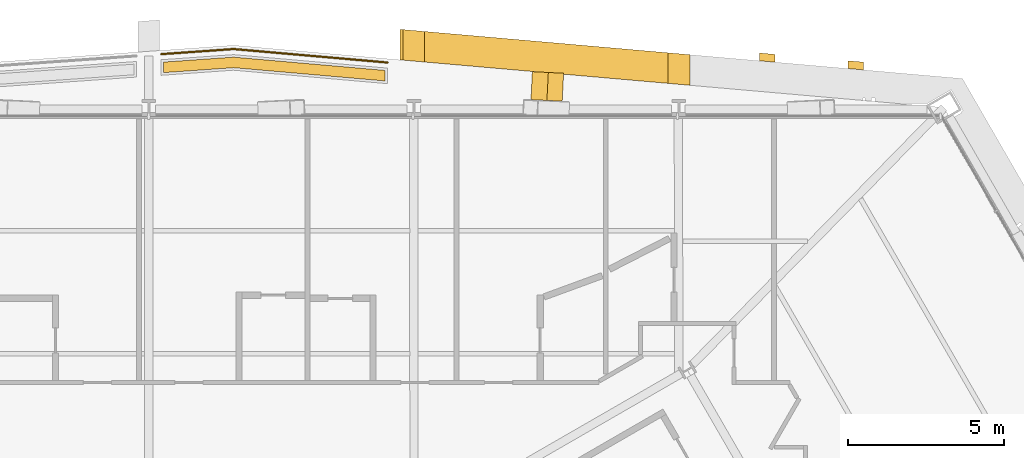
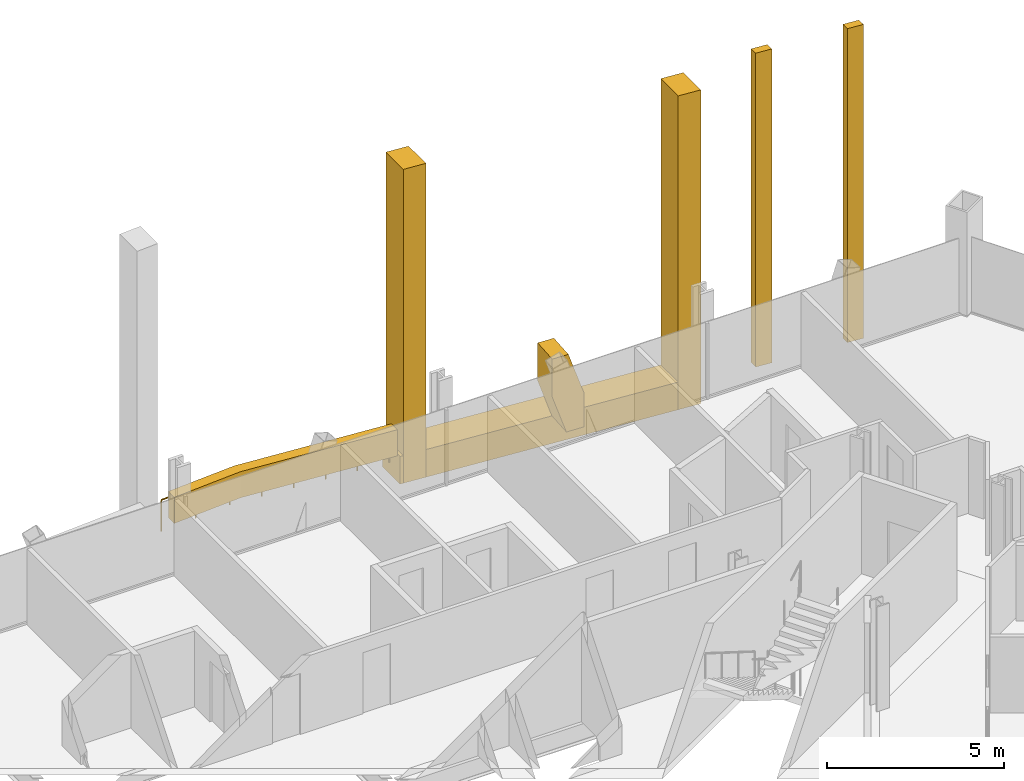
# One storey, part 18 of 18: 8 coverings, 1 railing.
"""IFC4 building model written with IfcOpenShell, lengths in metres."""

from ifc_helpers import new_model, si_unit, direction, frame, origin, origin_2d, place, context, subcontext, project, spatial, polyline, circle, outline, extrude, material, layer, layer_set, type_object, element, save


model = new_model("IFC4")

# Units and contexts
model_context = context("Model", 3, precision=1e-05, world=origin(), true_north=direction((0.0, 1.0)))
body_context = subcontext(model_context, "Body", "Model", "MODEL_VIEW")
ifc_project = project(units=[si_unit("LENGTHUNIT", "METRE"), si_unit("AREAUNIT", "SQUARE_METRE"), si_unit("VOLUMEUNIT", "CUBIC_METRE"), si_unit("PLANEANGLEUNIT", "RADIAN"), si_unit("MASSUNIT", "GRAM", prefix="KILO")], contexts=[model_context])

# Site, building, storey
site_placement = place(None, origin())
site = spatial("IfcSite", under=ifc_project, at=site_placement, CompositionType="ELEMENT")
building_placement = place(site_placement, origin())
building = spatial("IfcBuilding", under=site, at=building_placement, Name="Verrane Prism Tower", CompositionType="ELEMENT")
storey_placement = place(building_placement, frame((0.0, 0.0, 47.60009765625)))
storey = spatial("IfcBuildingStorey", under=building, at=storey_placement, Name="L09", CompositionType="ELEMENT", Elevation=47.60009765625)

# Coverings
ifc_material_1 = material(Name="Planted shrubs and grasses", Category="other")
covering_type_1 = type_object("IfcCoveringType", Name="Planting mass 1000", PredefinedType="USERDEFINED", material=ifc_material_1)
covering_1_placement = place(storey_placement, frame((0.0, 0.0, 0.599853515625)))
element("IfcCovering", 1, at=covering_1_placement, inside=storey, type_object=covering_type_1, Name="Loggia planting N3 L09", ObjectType="PLANTING", PredefinedType="USERDEFINED", context=body_context, shape_type="SweptSolid", body=[
    extrude(outline(polyline([(2.72265625, 22.689697265625), (0.47998046875, 22.531005859375), (0.47998046875, 22.19140625), (2.72412109375, 22.35009765625), (7.586181640625, 21.92431640625), (7.586181640625, 22.263671875), (2.72265625, 22.689697265625)])), origin(), (0.0, 0.0, 1.0), 0.900146484375),
])
ifc_material_2 = material(Name="Warm limestone cladding", Category="masonry")
ifc_layer_1 = layer(ifc_material_2, 0.89990234375)
ifc_layer_set_1 = layer_set([ifc_layer_1], Name="Stone brace fin 900")
covering_type_2 = type_object("IfcCoveringType", Name="Stone brace fin 900", PredefinedType="CLADDING", material=ifc_layer_set_1)
covering_2_placement = place(storey_placement, frame((13.3046875, 21.722412109375, 0.0), z_axis=(0.0, 0.0, 1.0), x_axis=(-0.998721235036, 0.050555857115, 0.0)))
element("IfcCovering", 2, at=covering_2_placement, inside=storey, type_object=covering_type_2, Name="Stone brace fin N2 L09", PredefinedType="CLADDING", context=body_context, shape_type="SweptSolid", body=[
    extrude(outline(polyline([(1.004638671875, 2.64990234375), (0.49169921875, 2.64990234375), (0.0, 1.177978515625), (0.0, 0.0), (0.555419921875, 0.0), (1.004638671875, 1.3447265625), (1.004638671875, 2.64990234375)])), frame((0.0, 0.449951171875, 0.0), z_axis=(0.0, -1.0, 0.0), x_axis=(1.0, 0.0, 0.0)), (0.0, 0.0, 1.0), 0.89990234375),
])
ifc_material_3 = material(Name="Warm limestone cladding", Category="masonry")
covering_type_3 = type_object("IfcCoveringType", Name="Stone mullion pier 500", PredefinedType="CLADDING", material=ifc_material_3)
covering_3_placement = place(storey_placement, frame((0.0, 0.0, -0.9501953125)))
element("IfcCovering", 3, at=covering_3_placement, inside=storey, type_object=covering_type_3, Name="Stone pier SM-N0.1 L09-L11", PredefinedType="CLADDING", context=body_context, shape_type="SweptSolid", body=[
    extrude(outline(polyline([(22.459716796875, 22.322509765625), (22.959716796875, 22.27880859375), (22.959716796875, 22.52978515625), (22.459716796875, 22.573486328125), (22.459716796875, 22.322509765625)])), origin(), (0.0, 0.0, 1.0), 10.800048828125),
])
covering_4_placement = place(storey_placement, frame((0.0, 0.0, -0.9501953125)))
element("IfcCovering", 4, at=covering_4_placement, inside=storey, type_object=covering_type_3, Name="Stone pier SM-N0.2 L09-L11", PredefinedType="CLADDING", context=body_context, shape_type="SweptSolid", body=[
    extrude(outline(polyline([(19.620849609375, 22.5712890625), (20.120849609375, 22.527587890625), (20.120849609375, 22.7783203125), (19.620849609375, 22.822265625), (19.620849609375, 22.5712890625)])), origin(), (0.0, 0.0, 1.0), 10.800048828125),
])
ifc_material_4 = material(Name="Warm limestone cladding", Category="masonry")
covering_type_4 = type_object("IfcCoveringType", Name="Stone pier 700", PredefinedType="CLADDING", material=ifc_material_4)
covering_5_placement = place(storey_placement, frame((0.0, 0.0, -0.9501953125)))
element("IfcCovering", 5, at=covering_5_placement, inside=storey, type_object=covering_type_4, Name="Stone pier PC-N1 L09-L11", PredefinedType="CLADDING", context=body_context, shape_type="SweptSolid", body=[
    extrude(outline(polyline([(16.68212890625, 22.828857421875), (16.68212890625, 21.846923828125), (17.382080078125, 21.78564453125), (17.382080078125, 22.767333984375), (16.68212890625, 22.828857421875)])), origin(), (0.0, 0.0, 1.0), 10.800048828125),
])
covering_6_placement = place(storey_placement, frame((0.0, 0.0, -0.9501953125)))
element("IfcCovering", 6, at=covering_6_placement, inside=storey, type_object=covering_type_4, Name="Stone pier PC-N2 L09-L11", PredefinedType="CLADDING", context=body_context, shape_type="SweptSolid", body=[
    extrude(outline(polyline([(8.166015625, 23.5751953125), (8.166015625, 22.59326171875), (8.8662109375, 22.531982421875), (8.8662109375, 23.513671875), (8.166015625, 23.5751953125)])), origin(), (0.0, 0.0, 1.0), 10.800048828125),
])
ifc_material_5 = material(Name="Warm limestone cladding", Category="masonry")
ifc_layer_2 = layer(ifc_material_5, 0.449951171875)
ifc_layer_set_2 = layer_set([ifc_layer_2], Name="Stone spandrel band 450")
covering_type_5 = type_object("IfcCoveringType", Name="Stone spandrel band 450", PredefinedType="CLADDING", material=ifc_layer_set_2)
covering_7_placement = place(storey_placement, frame((0.0, 0.0, -0.9501953125)))
element("IfcCovering", 7, at=covering_7_placement, inside=storey, type_object=covering_type_5, Name="Stone spandrel band L09 part 8", PredefinedType="CLADDING", context=body_context, shape_type="SweptSolid", body=[
    extrude(outline(polyline([(16.68212890625, 22.828857421875), (8.8662109375, 23.513671875), (8.8662109375, 22.531982421875), (16.68212890625, 21.846923828125), (16.68212890625, 22.828857421875)])), origin(), (0.0, 0.0, 1.0), 0.9501953125),
])
covering_8_placement = place(storey_placement, frame((0.0, 0.0, -0.9501953125)))
element("IfcCovering", 8, at=covering_8_placement, inside=storey, type_object=covering_type_5, Name="Stone spandrel band L09 part 14", PredefinedType="CLADDING", context=body_context, shape_type="SweptSolid", body=[
    extrude(outline(polyline([(8.066162109375, 23.583740234375), (8.066162109375, 22.60205078125), (8.166015625, 22.59326171875), (8.166015625, 23.5751953125), (8.066162109375, 23.583740234375)])), origin(), (0.0, 0.0, 1.0), 0.9501953125),
])

# Railing
ifc_material_6 = material(Name="Stainless steel and laminated glass", Category="steel")
railing_type = type_object("IfcRailingType", Name="Terrace guard 1100", PredefinedType="GUARDRAIL", material=ifc_material_6)
railing_placement = place(storey_placement, frame((7.666015625, 22.516845703125, 0.0)))
element("IfcRailing", 9, at=railing_placement, inside=storey, type_object=railing_type, Name="Loggia guard N3 L09", PredefinedType="GUARDRAIL", context=body_context, shape_type="SweptSolid", body=[
    extrude(circle(Radius=0.02392578125, at=origin_2d()), frame((0.0, 0.0, 1.076171875), z_axis=(-0.996182760478, 0.08729208284, 0.0), x_axis=(-0.08729208284, -0.996182760478, 0.0)), (0.0, 0.0, 1.0), 4.961669921875),
    extrude(circle(Radius=0.02392578125, at=origin_2d()), frame((-4.942626953125, 0.43310546875, 1.076171875), z_axis=(-0.997508993354, -0.070539408693, 0.0), x_axis=(0.070539408693, -0.997508993354, 0.0)), (0.0, 0.0, 1.0), 2.329345703125),
    extrude(circle(Radius=0.02099609375, at=origin_2d()), origin(), (0.0, 0.0, 1.0), 1.052001953125),
    extrude(circle(Radius=0.02099609375, at=origin_2d()), frame((-0.988525390625, 0.086669921875, 0.0)), (0.0, 0.0, 1.0), 1.052001953125),
    extrude(circle(Radius=0.02099609375, at=origin_2d()), frame((-1.97705078125, 0.17333984375, 0.0)), (0.0, 0.0, 1.0), 1.052001953125),
    extrude(circle(Radius=0.02099609375, at=origin_2d()), frame((-2.965576171875, 0.259765625, 0.0)), (0.0, 0.0, 1.0), 1.052001953125),
    extrude(circle(Radius=0.02099609375, at=origin_2d()), frame((-3.9541015625, 0.346435546875, 0.0)), (0.0, 0.0, 1.0), 1.052001953125),
    extrude(circle(Radius=0.02099609375, at=origin_2d()), frame((-4.942626953125, 0.43310546875, 0.0)), (0.0, 0.0, 1.0), 1.052001953125),
    extrude(circle(Radius=0.02099609375, at=origin_2d()), frame((-6.1044921875, 0.35107421875, 0.0)), (0.0, 0.0, 1.0), 1.052001953125),
    extrude(circle(Radius=0.02099609375, at=origin_2d()), frame((-7.26611328125, 0.268798828125, 0.0)), (0.0, 0.0, 1.0), 1.052001953125),
])

save(model, "model.ifc")
